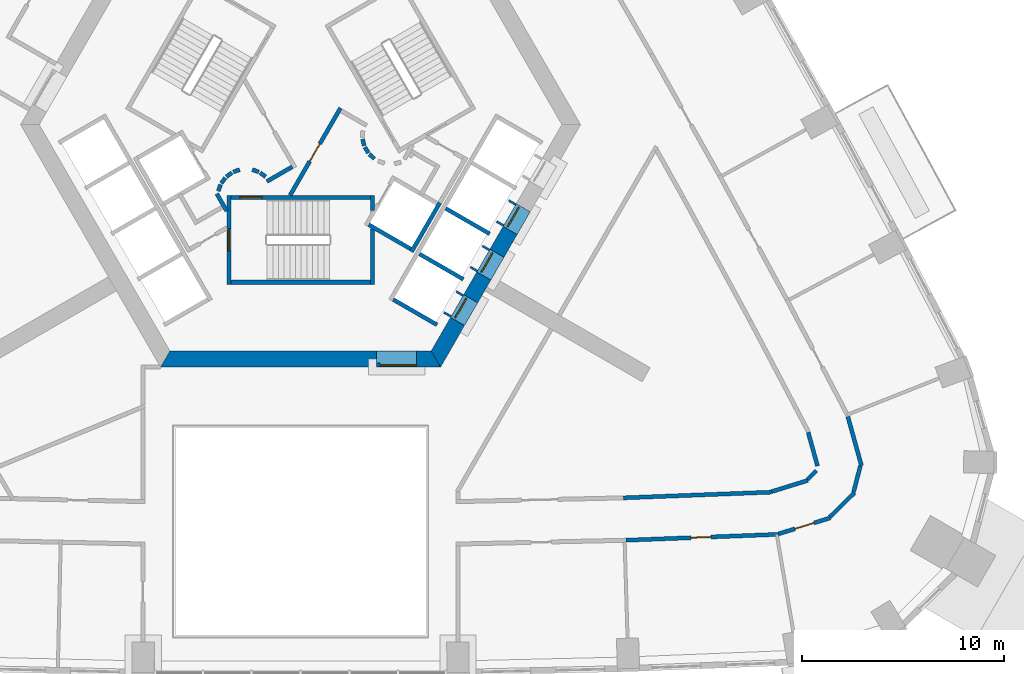
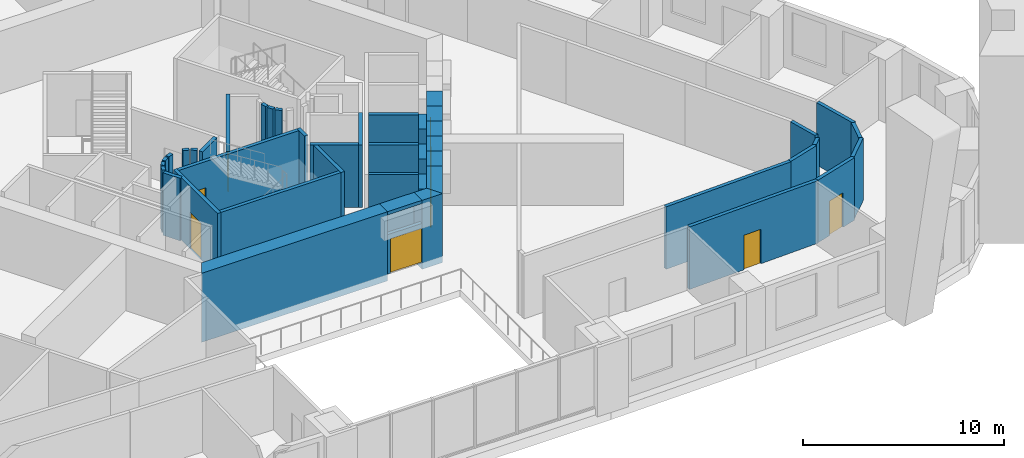
# One storey, part 6 of 15: 44 walls, 9 doors, 9 openings.
"""IFC4 building model written with IfcOpenShell, lengths in metres."""

from ifc_helpers import new_model, si_unit, direction, frame, frame_2d, origin, place, context, subcontext, project, spatial, polyline, rectangle, outline, extrude, material, layer, layer_set, type_object, element, fill, save


model = new_model("IFC4")

# Units and contexts
model_context = context("Model", 3, precision=1e-05, world=origin(), true_north=direction((0.0, 1.0)))
body_context = subcontext(model_context, "Body", "Model", "MODEL_VIEW")
ifc_project = project(units=[si_unit("LENGTHUNIT", "METRE"), si_unit("AREAUNIT", "SQUARE_METRE"), si_unit("VOLUMEUNIT", "CUBIC_METRE"), si_unit("PLANEANGLEUNIT", "RADIAN"), si_unit("MASSUNIT", "GRAM", prefix="KILO")], contexts=[model_context])

# Site, building, storey
site_placement = place(None, origin())
site = spatial("IfcSite", under=ifc_project, at=site_placement, CompositionType="ELEMENT")
building_placement = place(site_placement, origin())
building = spatial("IfcBuilding", under=site, at=building_placement, Name="Entoto Arch Interchange Tower", CompositionType="ELEMENT")
storey_placement = place(building_placement, frame((0.0, 0.0, 150.800048828125)))
storey = spatial("IfcBuildingStorey", under=building, at=storey_placement, Name="L33", CompositionType="ELEMENT", Elevation=150.800048828125)

# Wall, opening, door
ifc_material_1 = material(Name="Reinforced concrete C40/50", Category="concrete")
ifc_layer_1 = layer(ifc_material_1, 0.199951171875)
ifc_layer_set_1 = layer_set([ifc_layer_1], Name="Reinforced concrete C40/50")
wall_type_1 = type_object("IfcWallType", Name="CORE GAP INFILL WALL", PredefinedType="PARTITIONING", material=ifc_layer_set_1)
wall_1_placement = place(storey_placement, frame((3.75, -9.39990234375, 0.0), z_axis=(0.0, 0.0, 1.0), x_axis=(1.0, 0.0, 0.0)))
wall_1 = element("IfcWall", 1, at=wall_1_placement, inside=storey, type_object=wall_type_1, Name="wall:L33:gap1", PredefinedType="PARTITIONING", context=body_context, shape_type="SweptSolid", body=[
    extrude(rectangle(XDim=2.0, YDim=0.199951171875, at=frame_2d((1.0, 0.0))), origin(), (0.0, 0.0, 1.0), 2.39990234375),
])
opening_1_placement = place(wall_1_placement, frame((0.18994140625, 0.0, 0.0)))
opening_1 = element("IfcOpeningElement", 2, at=opening_1_placement, cuts=wall_1, Name="Opening L33-D91", PredefinedType="OPENING", context=body_context, shape_type="SweptSolid", body=[
    extrude(rectangle(XDim=1.800048828125, YDim=2.10009765625, at=frame_2d((0.89990234375, 1.050048828125))), frame((0.0, 0.10986328125, 0.0), z_axis=(0.0, -1.0, 0.0), x_axis=(1.0, 0.0, 0.0)), (0.0, 0.0, 1.0), 0.219970703125),
])
ifc_material_2 = material(Name="Fire-rated Steel S235 door and frame", Category="steel")
door_type_1 = type_object("IfcDoorType", Name="DOOR FD-18 1800x2100", OperationType="DOUBLE_DOOR_SINGLE_SWING", PredefinedType="DOOR", material=ifc_material_2)
door_1_placement = place(opening_1_placement, origin())
door_1 = element("IfcDoor", 3, at=door_1_placement, inside=storey, type_object=door_type_1, Name="door:L33:gap1", OperationType="DOUBLE_DOOR_SINGLE_SWING", OverallHeight=2.10009765625, OverallWidth=1.800048828125, PredefinedType="DOOR", context=body_context, shape_type="SweptSolid", body=[
    extrude(rectangle(XDim=1.800048828125, YDim=2.10009765625, at=frame_2d((0.89990234375, 1.050048828125))), frame((0.0, 0.02490234375, 0.0), z_axis=(0.0, -1.0, 0.0), x_axis=(1.0, 0.0, 0.0)), (0.0, 0.0, 1.0), 0.050048828125),
])
fill(opening_1, door_1)

# Walls
ifc_material_3 = material(Name="Concrete C50/60", Category="concrete")
ifc_layer_2 = layer(ifc_material_3, 0.800048828125)
ifc_layer_set_2 = layer_set([ifc_layer_2], Name="Concrete C50/60")
wall_type_2 = type_object("IfcWallType", Name="Core wall 800 C50/60", PredefinedType="SHEAR", material=ifc_layer_set_2)
wall_2_placement = place(storey_placement, frame((0.0, 0.0, -0.400146484375)))
element("IfcWall", 4, at=wall_2_placement, inside=storey, type_object=wall_type_2, Name="Core wall S L33", PredefinedType="SHEAR", context=body_context, shape_type="SweptSolid", body=[
    extrude(outline(polyline([(3.75, -9.5), (3.75, -8.699951171875), (-6.466064453125, -8.699951171875), (-6.927978515625, -9.5), (3.75, -9.5)])), origin(), (0.0, 0.0, 1.0), 4.2001953125),
])
wall_3_placement = place(storey_placement, frame((0.0, 0.0, -0.400146484375)))
element("IfcWall", 5, at=wall_3_placement, inside=storey, type_object=wall_type_2, Name="Core wall S L33", PredefinedType="SHEAR", context=body_context, shape_type="SweptSolid", body=[
    extrude(outline(polyline([(5.75, -8.699951171875), (5.75, -9.5), (6.927978515625, -9.5), (6.466064453125, -8.699951171875), (5.75, -8.699951171875)])), origin(), (0.0, 0.0, 1.0), 4.2001953125),
])
wall_4_placement = place(storey_placement, frame((0.0, 0.0, 3.599853515625)))
element("IfcWall", 6, at=wall_4_placement, inside=storey, type_object=wall_type_2, Name="Core wall lintel S L33", PredefinedType="SHEAR", context=body_context, shape_type="SweptSolid", body=[
    extrude(outline(polyline([(5.75, -9.5), (5.75, -8.699951171875), (3.75, -8.699951171875), (3.75, -9.5), (5.75, -9.5)])), origin(), (0.0, 0.0, 1.0), 0.2001953125),
])
wall_5_placement = place(storey_placement, frame((0.0, 0.0, -0.400146484375)))
element("IfcWall", 7, at=wall_5_placement, inside=storey, type_object=wall_type_2, Name="Core wall SE L33", PredefinedType="SHEAR", context=body_context, shape_type="SweptSolid", body=[
    extrude(outline(polyline([(8.116943359375, -7.43994140625), (7.424072265625, -7.0400390625), (6.466064453125, -8.699951171875), (6.927978515625, -9.5), (8.116943359375, -7.43994140625)])), origin(), (0.0, 0.0, 1.0), 4.2001953125),
])
wall_6_placement = place(storey_placement, frame((0.0, 0.0, -0.400146484375)))
element("IfcWall", 8, at=wall_6_placement, inside=storey, type_object=wall_type_2, Name="Core wall SE L33", PredefinedType="SHEAR", context=body_context, shape_type="SweptSolid", body=[
    extrude(outline(polyline([(9.4169921875, -5.18896484375), (8.72412109375, -4.7890625), (8.074951171875, -5.9140625), (8.76708984375, -6.31396484375), (9.4169921875, -5.18896484375)])), origin(), (0.0, 0.0, 1.0), 4.2001953125),
])
wall_7_placement = place(storey_placement, frame((0.0, 0.0, -0.400146484375)))
element("IfcWall", 9, at=wall_7_placement, inside=storey, type_object=wall_type_2, Name="Core wall SE L33", PredefinedType="SHEAR", context=body_context, shape_type="SweptSolid", body=[
    extrude(outline(polyline([(10.717041015625, -2.93701171875), (10.02490234375, -2.537109375), (9.3740234375, -3.6630859375), (10.06689453125, -4.06298828125), (10.717041015625, -2.93701171875)])), origin(), (0.0, 0.0, 1.0), 4.2001953125),
])
wall_8_placement = place(storey_placement, frame((0.0, 0.0, 3.599853515625)))
element("IfcWall", 10, at=wall_8_placement, inside=storey, type_object=wall_type_2, Name="Core wall lintel SE L33", PredefinedType="SHEAR", context=body_context, shape_type="SweptSolid", body=[
    extrude(outline(polyline([(8.76708984375, -6.31396484375), (8.074951171875, -5.9140625), (7.424072265625, -7.0400390625), (8.116943359375, -7.43994140625), (8.76708984375, -6.31396484375)])), origin(), (0.0, 0.0, 1.0), 0.2001953125),
])
wall_9_placement = place(storey_placement, frame((0.0, 0.0, 3.599853515625)))
element("IfcWall", 11, at=wall_9_placement, inside=storey, type_object=wall_type_2, Name="Core wall lintel SE L33", PredefinedType="SHEAR", context=body_context, shape_type="SweptSolid", body=[
    extrude(outline(polyline([(10.06689453125, -4.06298828125), (9.3740234375, -3.6630859375), (8.72412109375, -4.7890625), (9.4169921875, -5.18896484375), (10.06689453125, -4.06298828125)])), origin(), (0.0, 0.0, 1.0), 0.2001953125),
])
wall_10_placement = place(storey_placement, frame((0.0, 0.0, 3.599853515625)))
element("IfcWall", 12, at=wall_10_placement, inside=storey, type_object=wall_type_2, Name="Core wall lintel SE L33", PredefinedType="SHEAR", context=body_context, shape_type="SweptSolid", body=[
    extrude(outline(polyline([(11.366943359375, -1.81103515625), (10.675048828125, -1.410888671875), (10.02490234375, -2.537109375), (10.717041015625, -2.93701171875), (11.366943359375, -1.81103515625)])), origin(), (0.0, 0.0, 1.0), 0.2001953125),
])

# Wall, opening, door
ifc_material_4 = material(Name="Concrete C40/50", Category="concrete")
ifc_layer_3 = layer(ifc_material_4, 1.199951171875)
ifc_layer_set_3 = layer_set([ifc_layer_3], Name="Concrete C40/50")
wall_type_3 = type_object("IfcWallType", Name="LIFT LANDING INFILL WALL", PredefinedType="STANDARD", material=ifc_layer_set_3)
wall_11_placement = place(storey_placement, frame((7.597900390625, -7.139892578125, 0.0), z_axis=(0.0, 0.0, 1.0), x_axis=(0.500362116554, 0.865816234728, 0.0)))
wall_11 = element("IfcWall", 13, at=wall_11_placement, inside=storey, type_object=wall_type_3, Name="Lift landing infill wall LR5 L33", PredefinedType="STANDARD", context=body_context, shape_type="SweptSolid", body=[
    extrude(rectangle(XDim=1.29931640625, YDim=1.199951171875, at=frame_2d((0.649658203125, 0.0))), origin(), (0.0, 0.0, 1.0), 2.39990234375),
])
opening_2_placement = place(wall_11_placement, frame((0.10009765625, 0.0, 0.0)))
opening_2 = element("IfcOpeningElement", 14, at=opening_2_placement, cuts=wall_11, Name="Opening LD-LR5-L33", PredefinedType="OPENING", context=body_context, shape_type="SweptSolid", body=[
    extrude(rectangle(XDim=1.10009765625, YDim=2.300048828125, at=frame_2d((0.550048828125, 1.14990234375))), frame((0.0, 0.60986328125, 0.0), z_axis=(0.0, -1.0, 0.0), x_axis=(1.0, 0.0, 0.0)), (0.0, 0.0, 1.0), 1.219970703125),
])
ifc_material_5 = material(Name="Stainless steel 1.4301 panels", Category="steel")
door_type_2 = type_object("IfcDoorType", Name="LIFT LANDING DOOR LD2 1100x2300", OperationType="SLIDING_TO_LEFT", PredefinedType="DOOR", material=ifc_material_5)
door_2_placement = place(opening_2_placement, origin())
door_2 = element("IfcDoor", 15, at=door_2_placement, inside=storey, type_object=door_type_2, Name="Lift landing door LR5 L33", OperationType="SLIDING_TO_LEFT", OverallHeight=2.300048828125, OverallWidth=1.10009765625, PredefinedType="DOOR", context=body_context, shape_type="SweptSolid", body=[
    extrude(rectangle(XDim=1.10009765625, YDim=2.300048828125, at=frame_2d((0.550048828125, 1.14990234375))), frame((0.0, 0.02490234375, 0.0), z_axis=(0.0, -1.0, 0.0), x_axis=(1.0, 0.0, 0.0)), (0.0, 0.0, 1.0), 0.050048828125),
])
fill(opening_2, door_2)

wall_12_placement = place(storey_placement, frame((8.89794921875, -4.888916015625, 0.0), z_axis=(0.0, 0.0, 1.0), x_axis=(0.500036693733, 0.866004217611, 0.0)))
wall_12 = element("IfcWall", 16, at=wall_12_placement, inside=storey, type_object=wall_type_3, Name="Lift landing infill wall LR6 L33", PredefinedType="STANDARD", context=body_context, shape_type="SweptSolid", body=[
    extrude(rectangle(XDim=1.30029296875, YDim=1.199951171875, at=frame_2d((0.650146484375, 0.0))), origin(), (0.0, 0.0, 1.0), 2.39990234375),
])
opening_3_placement = place(wall_12_placement, frame((0.10009765625, 0.0, 0.0)))
opening_3 = element("IfcOpeningElement", 17, at=opening_3_placement, cuts=wall_12, Name="Opening LD-LR6-L33", PredefinedType="OPENING", context=body_context, shape_type="SweptSolid", body=[
    extrude(rectangle(XDim=1.10009765625, YDim=2.300048828125, at=frame_2d((0.550048828125, 1.14990234375))), frame((0.0, 0.60986328125, 0.0), z_axis=(0.0, -1.0, 0.0), x_axis=(1.0, 0.0, 0.0)), (0.0, 0.0, 1.0), 1.219970703125),
])
door_3_placement = place(opening_3_placement, origin())
door_3 = element("IfcDoor", 18, at=door_3_placement, inside=storey, type_object=door_type_2, Name="Lift landing door LR6 L33", OperationType="SLIDING_TO_LEFT", OverallHeight=2.300048828125, OverallWidth=1.10009765625, PredefinedType="DOOR", context=body_context, shape_type="SweptSolid", body=[
    extrude(rectangle(XDim=1.10009765625, YDim=2.300048828125, at=frame_2d((0.550048828125, 1.14990234375))), frame((0.0, 0.02490234375, 0.0), z_axis=(0.0, -1.0, 0.0), x_axis=(1.0, 0.0, 0.0)), (0.0, 0.0, 1.0), 0.050048828125),
])
fill(opening_3, door_3)

wall_13_placement = place(storey_placement, frame((10.197998046875, -2.636962890625, 0.0), z_axis=(0.0, 0.0, 1.0), x_axis=(0.49989585183, 0.866085525409, 0.0)))
wall_13 = element("IfcWall", 19, at=wall_13_placement, inside=storey, type_object=wall_type_3, Name="Lift landing infill wall LR7 L33", PredefinedType="STANDARD", context=body_context, shape_type="SweptSolid", body=[
    extrude(rectangle(XDim=1.300048828125, YDim=1.199951171875, at=frame_2d((0.64990234375, 0.0))), origin(), (0.0, 0.0, 1.0), 2.39990234375),
])
opening_4_placement = place(wall_13_placement, frame((0.10009765625, 0.0, 0.0)))
opening_4 = element("IfcOpeningElement", 20, at=opening_4_placement, cuts=wall_13, Name="Opening LD-LR7-L33", PredefinedType="OPENING", context=body_context, shape_type="SweptSolid", body=[
    extrude(rectangle(XDim=1.10009765625, YDim=2.300048828125, at=frame_2d((0.550048828125, 1.14990234375))), frame((0.0, 0.60986328125, 0.0), z_axis=(0.0, -1.0, 0.0), x_axis=(1.0, 0.0, 0.0)), (0.0, 0.0, 1.0), 1.219970703125),
])
door_4_placement = place(opening_4_placement, origin())
door_4 = element("IfcDoor", 21, at=door_4_placement, inside=storey, type_object=door_type_2, Name="Lift landing door LR7 L33", OperationType="SLIDING_TO_LEFT", OverallHeight=2.300048828125, OverallWidth=1.10009765625, PredefinedType="DOOR", context=body_context, shape_type="SweptSolid", body=[
    extrude(rectangle(XDim=1.10009765625, YDim=2.300048828125, at=frame_2d((0.550048828125, 1.14990234375))), frame((0.0, 0.02490234375, 0.0), z_axis=(0.0, -1.0, 0.0), x_axis=(1.0, 0.0, 0.0)), (0.0, 0.0, 1.0), 0.050048828125),
])
fill(opening_4, door_4)

# Walls
ifc_layer_4 = layer(ifc_material_4, 0.199951171875)
ifc_layer_set_4 = layer_set([ifc_layer_4], Name="Concrete C40/50")
wall_type_4 = type_object("IfcWallType", Name="LIFT SHAFT WALL 200", PredefinedType="STANDARD", material=ifc_layer_set_4)
wall_14_placement = place(storey_placement, frame((5.491943359375, -3.7880859375, 0.0), z_axis=(0.0, 0.0, 1.0), x_axis=(0.500011755427, 0.866018616679, 0.0)))
element("IfcWall", 22, at=wall_14_placement, inside=storey, type_object=wall_type_4, Name="Shaft wall SE1 back", PredefinedType="STANDARD", context=body_context, shape_type="SweptSolid", body=[
    extrude(rectangle(XDim=2.80029296875, YDim=0.199951171875, at=frame_2d((1.400146484375, 0.0))), origin(), (0.0, 0.0, 1.0), 3.800048828125),
])
wall_15_placement = place(storey_placement, frame((3.376953125, -2.451904296875, 0.0), z_axis=(0.0, 0.0, 1.0), x_axis=(0.865955154139, -0.50012165622, 0.0)))
element("IfcWall", 23, at=wall_15_placement, inside=storey, type_object=wall_type_4, Name="Shaft wall SE1 cross 1", PredefinedType="STANDARD", context=body_context, shape_type="SweptSolid", body=[
    extrude(rectangle(XDim=2.39990234375, YDim=0.199951171875, at=frame_2d((1.199951171875, 0.0))), origin(), (0.0, 0.0, 1.0), 3.800048828125),
])
for number, where, z_axis, x_axis, name in (
    (24, (4.587890625, -6.153076171875, 0.0), (0.0, 0.0, 1.0), (0.866022959057, -0.500004234368, 0.0), "Shaft wall SE3 cross 1"),
    (25, (5.887939453125, -3.902099609375, 0.0), (0.0, 0.0, 1.0), (0.866022959057, -0.500004234368, 0.0), "Shaft wall SE3 cross 2"),
    (26, (7.18798828125, -1.64990234375, 0.0), (0.0, 0.0, 1.0), (0.866022959057, -0.500004234368, 0.0), "Shaft wall SE3 cross 3"),
):
    element("IfcWall", number, at=place(storey_placement, frame(where, z_axis=z_axis, x_axis=x_axis)), inside=storey, type_object=wall_type_4, Name=name, PredefinedType="STANDARD", context=body_context, shape_type="SweptSolid", body=[
        extrude(rectangle(XDim=2.5, YDim=0.199951171875, at=frame_2d((1.25, 0.0))), origin(), (0.0, 0.0, 1.0), 3.800048828125),
    ])
ifc_material_6 = material(Name="Gypsum board partition on steel studs", Category="steel")
ifc_layer_5 = layer(ifc_material_6, 0.199951171875)
ifc_layer_set_5 = layer_set([ifc_layer_5], Name="Gypsum board partition on steel studs")
wall_type_5 = type_object("IfcWallType", Name="PARTITION 200", PredefinedType="PARTITIONING", material=ifc_layer_set_5)
wall_16_placement = place(storey_placement, frame((15.971923828125, -15.969970703125, 0.0), z_axis=(0.0, 0.0, 1.0), x_axis=(0.999262695969, 0.038393546916, 0.0)))
element("IfcWall", 27, at=wall_16_placement, inside=storey, type_object=wall_type_5, Name="wall:L33:p021", PredefinedType="PARTITIONING", context=body_context, shape_type="SweptSolid", body=[
    extrude(rectangle(XDim=7.344482421875, YDim=0.199951171875, at=frame_2d((3.67236328125, 0.0))), origin(), (0.0, 0.0, 1.0), 3.800048828125),
])
wall_17_placement = place(storey_placement, frame((23.306884765625, -15.662109375, 0.0), z_axis=(0.0, 0.0, 1.0), x_axis=(0.955548436851, 0.294834164966, 0.0)))
element("IfcWall", 28, at=wall_17_placement, inside=storey, type_object=wall_type_5, Name="wall:L33:p022", PredefinedType="PARTITIONING", context=body_context, shape_type="SweptSolid", body=[
    extrude(rectangle(XDim=1.879638671875, YDim=0.199951171875, at=frame_2d((0.93994140625, 0.0))), origin(), (0.0, 0.0, 1.0), 3.800048828125),
])
wall_18_placement = place(storey_placement, frame((25.0791015625, -15.06689453125, 0.0), z_axis=(0.0, 0.0, 1.0), x_axis=(0.711758647644, 0.702424108003, 0.0)))
element("IfcWall", 29, at=wall_18_placement, inside=storey, type_object=wall_type_5, Name="wall:L33:p023", PredefinedType="PARTITIONING", context=body_context, shape_type="SweptSolid", body=[
    extrude(rectangle(XDim=0.627685546875, YDim=0.199951171875, at=frame_2d((0.31396484375, 0.0))), origin(), (0.0, 0.0, 1.0), 3.800048828125),
])
wall_19_placement = place(storey_placement, frame((25.5859375, -14.39306640625, 0.0), z_axis=(0.0, 0.0, 1.0), x_axis=(-0.268139825244, 0.963380005044, 0.0)))
element("IfcWall", 30, at=wall_19_placement, inside=storey, type_object=wall_type_5, Name="wall:L33:p024", PredefinedType="PARTITIONING", context=body_context, shape_type="SweptSolid", body=[
    extrude(rectangle(XDim=1.726318359375, YDim=0.199951171875, at=frame_2d((0.86328125, 0.0))), origin(), (0.0, 0.0, 1.0), 3.800048828125),
])

# Wall, opening, door
wall_20_placement = place(storey_placement, frame((23.6669921875, -17.77587890625, 0.0), z_axis=(0.0, 0.0, 1.0), x_axis=(-0.999264080977, -0.038357482575, 0.0)))
wall_20 = element("IfcWall", 31, at=wall_20_placement, inside=storey, type_object=wall_type_5, Name="wall:L33:p041", PredefinedType="PARTITIONING", context=body_context, shape_type="SweptSolid", body=[
    extrude(rectangle(XDim=7.5615234375, YDim=0.199951171875, at=frame_2d((3.78076171875, 0.0))), origin(), (0.0, 0.0, 1.0), 3.800048828125),
])
opening_5_placement = place(wall_20_placement, frame((3.35595703125, 0.0, 0.0)))
opening_5 = element("IfcOpeningElement", 32, at=opening_5_placement, cuts=wall_20, Name="Opening L33-D02", PredefinedType="OPENING", context=body_context, shape_type="SweptSolid", body=[
    extrude(rectangle(XDim=1.0, YDim=2.10009765625, at=frame_2d((0.5, 1.050048828125))), frame((0.0, 0.10986328125, 0.0), z_axis=(0.0, -1.0, 0.0), x_axis=(1.0, 0.0, 0.0)), (0.0, 0.0, 1.0), 0.219970703125),
])
ifc_material_7 = material(Name="Timber door leaf in Steel S235 frame", Category="steel")
door_type_3 = type_object("IfcDoorType", Name="DOOR DS-10 1000x2100", OperationType="SINGLE_SWING_LEFT", PredefinedType="DOOR", material=ifc_material_7)
door_5_placement = place(opening_5_placement, origin())
door_5 = element("IfcDoor", 33, at=door_5_placement, inside=storey, type_object=door_type_3, Name="door:L33:02", OperationType="SINGLE_SWING_LEFT", OverallHeight=2.10009765625, OverallWidth=1.0, PredefinedType="DOOR", context=body_context, shape_type="SweptSolid", body=[
    extrude(rectangle(XDim=1.0, YDim=2.10009765625, at=frame_2d((0.5, 1.050048828125))), frame((0.0, 0.02490234375, 0.0), z_axis=(0.0, -1.0, 0.0), x_axis=(1.0, 0.0, 0.0)), (0.0, 0.0, 1.0), 0.050048828125),
])
fill(opening_5, door_5)

# Walls
wall_21_placement = place(storey_placement, frame((27.0859375, -11.951904296875, 0.0), z_axis=(0.0, 0.0, 1.0), x_axis=(0.267909096687, -0.963444194498, 0.0)))
element("IfcWall", 34, at=wall_21_placement, inside=storey, type_object=wall_type_5, Name="wall:L33:p042", PredefinedType="PARTITIONING", context=body_context, shape_type="SweptSolid", body=[
    extrude(rectangle(XDim=2.51611328125, YDim=0.199951171875, at=frame_2d((1.258056640625, 0.0))), origin(), (0.0, 0.0, 1.0), 3.800048828125),
])
wall_22_placement = place(storey_placement, frame((27.7080078125, -14.3759765625, 0.0), z_axis=(0.0, 0.0, 1.0), x_axis=(-0.25159336549, -0.967833032316, 0.0)))
element("IfcWall", 35, at=wall_22_placement, inside=storey, type_object=wall_type_5, Name="wall:L33:p043", PredefinedType="PARTITIONING", context=body_context, shape_type="SweptSolid", body=[
    extrude(rectangle(XDim=1.355712890625, YDim=0.199951171875, at=frame_2d((0.677734375, 0.0))), origin(), (0.0, 0.0, 1.0), 3.800048828125),
])
wall_23_placement = place(storey_placement, frame((27.4130859375, -15.715087890625, 0.0), z_axis=(0.0, 0.0, 1.0), x_axis=(-0.712339678389, -0.701834868465, 0.0)))
element("IfcWall", 36, at=wall_23_placement, inside=storey, type_object=wall_type_5, Name="wall:L33:p044", PredefinedType="PARTITIONING", context=body_context, shape_type="SweptSolid", body=[
    extrude(rectangle(XDim=1.7197265625, YDim=0.199951171875, at=frame_2d((0.85986328125, 0.0))), origin(), (0.0, 0.0, 1.0), 3.800048828125),
])

# Wall, opening, door
wall_24_placement = place(storey_placement, frame((26.212890625, -16.962890625, 0.0), z_axis=(0.0, 0.0, 1.0), x_axis=(-0.955509582123, -0.294960062501, 0.0)))
wall_24 = element("IfcWall", 37, at=wall_24_placement, inside=storey, type_object=wall_type_5, Name="wall:L33:p045", PredefinedType="PARTITIONING", context=body_context, shape_type="SweptSolid", body=[
    extrude(rectangle(XDim=2.66845703125, YDim=0.199951171875, at=frame_2d((1.334228515625, 0.0))), origin(), (0.0, 0.0, 1.0), 3.800048828125),
])
opening_6_placement = place(wall_24_placement, frame((0.833984375, 0.0, 0.0)))
opening_6 = element("IfcOpeningElement", 38, at=opening_6_placement, cuts=wall_24, Name="Opening L33-D03", PredefinedType="OPENING", context=body_context, shape_type="SweptSolid", body=[
    extrude(rectangle(XDim=1.0, YDim=2.10009765625, at=frame_2d((0.5, 1.050048828125))), frame((0.0, 0.10986328125, 0.0), z_axis=(0.0, -1.0, 0.0), x_axis=(1.0, 0.0, 0.0)), (0.0, 0.0, 1.0), 0.219970703125),
])
door_6_placement = place(opening_6_placement, origin())
door_6 = element("IfcDoor", 39, at=door_6_placement, inside=storey, type_object=door_type_3, Name="door:L33:03", OperationType="SINGLE_SWING_LEFT", OverallHeight=2.10009765625, OverallWidth=1.0, PredefinedType="DOOR", context=body_context, shape_type="SweptSolid", body=[
    extrude(rectangle(XDim=1.0, YDim=2.10009765625, at=frame_2d((0.5, 1.050048828125))), frame((0.0, 0.02490234375, 0.0), z_axis=(0.0, -1.0, 0.0), x_axis=(1.0, 0.0, 0.0)), (0.0, 0.0, 1.0), 0.050048828125),
])
fill(opening_6, door_6)

# Wall
wall_25_placement = place(storey_placement, frame((-4.14501953125, -0.919921875, 0.0), z_axis=(0.0, 0.0, 1.0), x_axis=(0.499743786207, -0.866173278362, 0.0)))
element("IfcWall", 40, at=wall_25_placement, inside=storey, type_object=wall_type_5, Name="wall:L33:p084", PredefinedType="PARTITIONING", context=body_context, shape_type="SweptSolid", body=[
    extrude(rectangle(XDim=0.99072265625, YDim=0.199951171875, at=frame_2d((0.495361328125, 0.0))), origin(), (0.0, 0.0, 1.0), 3.800048828125),
])

# Wall, opening, door
wall_26_placement = place(storey_placement, frame((-0.52001953125, -1.0, 0.0), z_axis=(0.0, 0.0, 1.0), x_axis=(0.50011622646, 0.865958290007, 0.0)))
wall_26 = element("IfcWall", 41, at=wall_26_placement, inside=storey, type_object=wall_type_5, Name="wall:L33:p088", PredefinedType="PARTITIONING", context=body_context, shape_type="SweptSolid", body=[
    extrude(rectangle(XDim=4.990966796875, YDim=0.199951171875, at=frame_2d((2.49560546875, 0.0))), origin(), (0.0, 0.0, 1.0), 3.800048828125),
])
opening_7_placement = place(wall_26_placement, frame((1.945068359375, 0.0, 0.0)))
opening_7 = element("IfcOpeningElement", 42, at=opening_7_placement, cuts=wall_26, Name="Opening L33-D30", PredefinedType="OPENING", context=body_context, shape_type="SweptSolid", body=[
    extrude(rectangle(XDim=1.0, YDim=2.10009765625, at=frame_2d((0.5, 1.050048828125))), frame((0.0, 0.10986328125, 0.0), z_axis=(0.0, -1.0, 0.0), x_axis=(1.0, 0.0, 0.0)), (0.0, 0.0, 1.0), 0.219970703125),
])
door_type_4 = type_object("IfcDoorType", Name="DOOR FD-10 1000x2100", OperationType="SINGLE_SWING_LEFT", PredefinedType="DOOR", material=ifc_material_2)
door_7_placement = place(opening_7_placement, origin())
door_7 = element("IfcDoor", 43, at=door_7_placement, inside=storey, type_object=door_type_4, Name="door:L33:30", OperationType="SINGLE_SWING_LEFT", OverallHeight=2.10009765625, OverallWidth=1.0, PredefinedType="DOOR", context=body_context, shape_type="SweptSolid", body=[
    extrude(rectangle(XDim=1.0, YDim=2.10009765625, at=frame_2d((0.5, 1.050048828125))), frame((0.0, 0.02490234375, 0.0), z_axis=(0.0, -1.0, 0.0), x_axis=(1.0, 0.0, 0.0)), (0.0, 0.0, 1.0), 0.050048828125),
])
fill(opening_7, door_7)

# Walls
wall_27_placement = place(storey_placement, frame((3.070068359375, 1.785888671875, 0.0), z_axis=(0.0, 0.0, 1.0), x_axis=(0.242705583207, -0.970099994784, 0.0)))
element("IfcWall", 44, at=wall_27_placement, inside=storey, type_object=wall_type_5, Name="wall:L33:p091", PredefinedType="PARTITIONING", context=body_context, shape_type="SweptSolid", body=[
    extrude(rectangle(XDim=0.337890625, YDim=0.199951171875, at=frame_2d((0.1689453125, 0.0))), origin(), (0.0, 0.0, 1.0), 3.800048828125),
])
for number, where, z_axis, x_axis, name in (
    (45, (3.181884765625, 1.387939453125, 0.0), (0.0, 0.0, 1.0), (0.512474702713, -0.85870232274, 0.0), "wall:L33:p092"),
    (46, (3.404052734375, 1.0390625, 0.0), (0.0, 0.0, 1.0), (0.740267097712, -0.672312891476, 0.0), "wall:L33:p093"),
):
    element("IfcWall", number, at=place(storey_placement, frame(where, z_axis=z_axis, x_axis=x_axis)), inside=storey, type_object=wall_type_5, Name=name, PredefinedType="PARTITIONING", context=body_context, shape_type="SweptSolid", body=[
        extrude(rectangle(XDim=0.337646484375, YDim=0.199951171875, at=frame_2d((0.1689453125, 0.0))), origin(), (0.0, 0.0, 1.0), 3.800048828125),
    ])
wall_28_placement = place(storey_placement, frame((-0.412109375, 0.4140625, 0.0), z_axis=(0.0, 0.0, 1.0), x_axis=(-0.866017369001, -0.500013916395, 0.0)))
element("IfcWall", 47, at=wall_28_placement, inside=storey, type_object=wall_type_5, Name="wall:L33:p097", PredefinedType="PARTITIONING", context=body_context, shape_type="SweptSolid", body=[
    extrude(rectangle(XDim=1.4501953125, YDim=0.199951171875, at=frame_2d((0.72509765625, 0.0))), origin(), (0.0, 0.0, 1.0), 3.800048828125),
])
wall_29_placement = place(storey_placement, frame((-1.73095703125, -0.076904296875, 0.0), z_axis=(0.0, 0.0, 1.0), x_axis=(-0.804311165252, 0.594208338422, 0.0)))
element("IfcWall", 48, at=wall_29_placement, inside=storey, type_object=wall_type_5, Name="wall:L33:p098", PredefinedType="PARTITIONING", context=body_context, shape_type="SweptSolid", body=[
    extrude(rectangle(XDim=0.338134765625, YDim=0.199951171875, at=frame_2d((0.1689453125, 0.0))), origin(), (0.0, 0.0, 1.0), 3.800048828125),
])
wall_30_placement = place(storey_placement, frame((-2.070068359375, 0.159912109375, 0.0), z_axis=(0.0, 0.0, 1.0), x_axis=(-0.942199461132, 0.335052496547, 0.0)))
element("IfcWall", 49, at=wall_30_placement, inside=storey, type_object=wall_type_5, Name="wall:L33:p099", PredefinedType="PARTITIONING", context=body_context, shape_type="SweptSolid", body=[
    extrude(rectangle(XDim=0.33740234375, YDim=0.199951171875, at=frame_2d((0.168701171875, 0.0))), origin(), (0.0, 0.0, 1.0), 3.800048828125),
])
wall_31_placement = place(storey_placement, frame((-3.011962890625, 0.27294921875, 0.0), z_axis=(0.0, 0.0, 1.0), x_axis=(-0.942280615813, -0.334824194261, 0.0)))
element("IfcWall", 50, at=wall_31_placement, inside=storey, type_object=wall_type_5, Name="wall:L33:p100", PredefinedType="PARTITIONING", context=body_context, shape_type="SweptSolid", body=[
    extrude(rectangle(XDim=0.337646484375, YDim=0.199951171875, at=frame_2d((0.1689453125, 0.0))), origin(), (0.0, 0.0, 1.0), 3.800048828125),
])
wall_32_placement = place(storey_placement, frame((-3.39697265625, 0.1240234375, 0.0), z_axis=(0.0, 0.0, 1.0), x_axis=(-0.804311165252, -0.594208338422, 0.0)))
element("IfcWall", 51, at=wall_32_placement, inside=storey, type_object=wall_type_5, Name="wall:L33:p101", PredefinedType="PARTITIONING", context=body_context, shape_type="SweptSolid", body=[
    extrude(rectangle(XDim=0.338134765625, YDim=0.199951171875, at=frame_2d((0.1689453125, 0.0))), origin(), (0.0, 0.0, 1.0), 3.800048828125),
])
wall_33_placement = place(storey_placement, frame((-3.722900390625, -0.131103515625, 0.0), z_axis=(0.0, 0.0, 1.0), x_axis=(-0.594675113454, -0.803966112121, 0.0)))
element("IfcWall", 52, at=wall_33_placement, inside=storey, type_object=wall_type_5, Name="wall:L33:p102", PredefinedType="PARTITIONING", context=body_context, shape_type="SweptSolid", body=[
    extrude(rectangle(XDim=0.33837890625, YDim=0.199951171875, at=frame_2d((0.169189453125, 0.0))), origin(), (0.0, 0.0, 1.0), 3.800048828125),
])
wall_34_placement = place(storey_placement, frame((-3.9599609375, -0.469970703125, 0.0), z_axis=(0.0, 0.0, 1.0), x_axis=(-0.334824194261, -0.942280615813, 0.0)))
element("IfcWall", 53, at=wall_34_placement, inside=storey, type_object=wall_type_5, Name="wall:L33:p103", PredefinedType="PARTITIONING", context=body_context, shape_type="SweptSolid", body=[
    extrude(rectangle(XDim=0.337646484375, YDim=0.199951171875, at=frame_2d((0.1689453125, 0.0))), origin(), (0.0, 0.0, 1.0), 3.800048828125),
])

# Wall, opening, door
ifc_layer_6 = layer(ifc_material_4, 0.199951171875)
ifc_layer_set_6 = layer_set([ifc_layer_6], Name="Concrete C40/50")
wall_type_6 = type_object("IfcWallType", Name="STAIR ENCLOSURE WALL 200", PredefinedType="STANDARD", material=ifc_layer_set_6)
wall_35_placement = place(storey_placement, frame((-3.550048828125, -1.0, 0.0), z_axis=(0.0, 0.0, 1.0), x_axis=(0.0, -1.0, 0.0)))
wall_35 = element("IfcWall", 54, at=wall_35_placement, inside=storey, type_object=wall_type_6, Name="Stair wall ST-S near", PredefinedType="STANDARD", context=body_context, shape_type="SweptSolid", body=[
    extrude(rectangle(XDim=4.39990234375, YDim=0.199951171875, at=frame_2d((2.199951171875, 0.0))), origin(), (0.0, 0.0, 1.0), 3.800048828125),
])
opening_8_placement = place(wall_35_placement, frame((1.64990234375, 0.0, 0.0)))
opening_8 = element("IfcOpeningElement", 55, at=opening_8_placement, cuts=wall_35, Name="Opening SD-ST-S-L33-E", PredefinedType="OPENING", context=body_context, shape_type="SweptSolid", body=[
    extrude(rectangle(XDim=1.10009765625, YDim=2.199951171875, at=frame_2d((0.550048828125, 1.10009765625))), frame((0.0, 0.10986328125, 0.0), z_axis=(0.0, -1.0, 0.0), x_axis=(1.0, 0.0, 0.0)), (0.0, 0.0, 1.0), 0.219970703125),
])
ifc_material_8 = material(Name="Steel S235", Category="steel")
door_type_5 = type_object("IfcDoorType", Name="STAIR DOOR SD1 1100x2200", OperationType="SINGLE_SWING_LEFT", PredefinedType="DOOR", material=ifc_material_8)
door_8_placement = place(opening_8_placement, origin())
door_8 = element("IfcDoor", 56, at=door_8_placement, inside=storey, type_object=door_type_5, Name="Stair door ST-S L33 end", OperationType="SINGLE_SWING_LEFT", OverallHeight=2.199951171875, OverallWidth=1.10009765625, PredefinedType="DOOR", context=body_context, shape_type="SweptSolid", body=[
    extrude(rectangle(XDim=1.10009765625, YDim=2.199951171875, at=frame_2d((0.550048828125, 1.10009765625))), frame((0.0, 0.02490234375, 0.0), z_axis=(0.0, -1.0, 0.0), x_axis=(1.0, 0.0, 0.0)), (0.0, 0.0, 1.0), 0.050048828125),
])
fill(opening_8, door_8)

# Walls
wall_36_placement = place(storey_placement, frame((3.550048828125, -2.6669921875, 0.0), z_axis=(0.0, 0.0, 1.0), x_axis=(0.0, -1.0, 0.0)))
element("IfcWall", 57, at=wall_36_placement, inside=storey, type_object=wall_type_6, Name="Stair wall ST-S far", PredefinedType="STANDARD", context=body_context, shape_type="SweptSolid", body=[
    extrude(rectangle(XDim=2.73291015625, YDim=0.199951171875, at=frame_2d((1.366455078125, 0.0))), origin(), (0.0, 0.0, 1.0), 3.800048828125),
])
wall_37_placement = place(storey_placement, frame((3.550048828125, -1.0, 0.0), z_axis=(0.0, 0.0, 1.0), x_axis=(0.0, -1.0, 0.0)))
element("IfcWall", 58, at=wall_37_placement, inside=storey, type_object=wall_type_6, Name="Stair wall ST-S far return", PredefinedType="STANDARD", context=body_context, shape_type="SweptSolid", body=[
    extrude(rectangle(XDim=0.7509765625, YDim=0.199951171875, at=frame_2d((0.37548828125, 0.0))), origin(), (0.0, 0.0, 1.0), 3.800048828125),
])

# Wall, opening, door
wall_38_placement = place(storey_placement, frame((-3.449951171875, -1.10009765625, 0.0), z_axis=(0.0, 0.0, 1.0), x_axis=(1.0, 0.0, 0.0)))
wall_38 = element("IfcWall", 59, at=wall_38_placement, inside=storey, type_object=wall_type_6, Name="Stair wall ST-S hall", PredefinedType="STANDARD", context=body_context, shape_type="SweptSolid", body=[
    extrude(rectangle(XDim=6.89990234375, YDim=0.199951171875, at=frame_2d((3.449951171875, 0.0))), origin(), (0.0, 0.0, 1.0), 3.800048828125),
])
opening_9_placement = place(wall_38_placement, frame((0.449951171875, 0.0, 0.0)))
opening_9 = element("IfcOpeningElement", 60, at=opening_9_placement, cuts=wall_38, Name="Opening SD-ST-S-L33", PredefinedType="OPENING", context=body_context, shape_type="SweptSolid", body=[
    extrude(rectangle(XDim=1.10009765625, YDim=2.199951171875, at=frame_2d((0.550048828125, 1.10009765625))), frame((0.0, 0.10986328125, 0.0), z_axis=(0.0, -1.0, 0.0), x_axis=(1.0, 0.0, 0.0)), (0.0, 0.0, 1.0), 0.219970703125),
])
door_9_placement = place(opening_9_placement, origin())
door_9 = element("IfcDoor", 61, at=door_9_placement, inside=storey, type_object=door_type_5, Name="Stair door ST-S L33", OperationType="SINGLE_SWING_LEFT", OverallHeight=2.199951171875, OverallWidth=1.10009765625, PredefinedType="DOOR", context=body_context, shape_type="SweptSolid", body=[
    extrude(rectangle(XDim=1.10009765625, YDim=2.199951171875, at=frame_2d((0.550048828125, 1.10009765625))), frame((0.0, 0.02490234375, 0.0), z_axis=(0.0, -1.0, 0.0), x_axis=(1.0, 0.0, 0.0)), (0.0, 0.0, 1.0), 0.050048828125),
])
fill(opening_9, door_9)

# Wall
wall_39_placement = place(storey_placement, frame((-3.449951171875, -5.300048828125, 0.0), z_axis=(0.0, 0.0, 1.0), x_axis=(1.0, 0.0, 0.0)))
element("IfcWall", 62, at=wall_39_placement, inside=storey, type_object=wall_type_6, Name="Stair wall ST-S back", PredefinedType="STANDARD", context=body_context, shape_type="SweptSolid", body=[
    extrude(rectangle(XDim=6.89990234375, YDim=0.199951171875, at=frame_2d((3.449951171875, 0.0))), origin(), (0.0, 0.0, 1.0), 3.800048828125),
])

save(model, "model.ifc")
